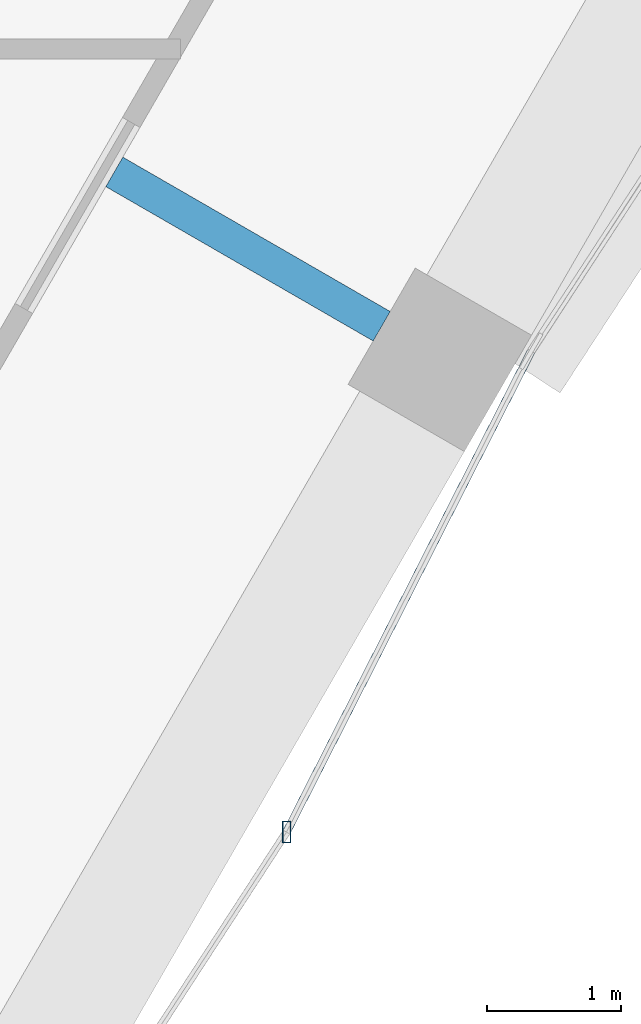
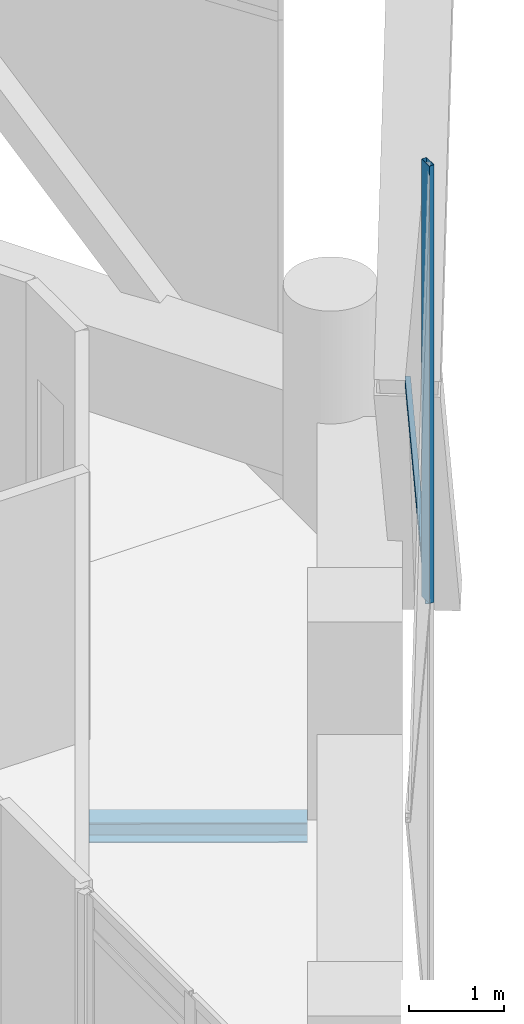
# One storey, part 13 of 37: 2 members, 1 beam, 2 elements without a shape of their own.
"""IFC4 building model written with IfcOpenShell, lengths in metres."""

from ifc_helpers import new_model, si_unit, direction, frame, origin, origin_2d, place, context, subcontext, project, spatial, hollow_rectangle, i_section, extrude, material, material_profile, profile_set, type_object, element, aggregate, save


model = new_model("IFC4")

# Units and contexts
model_context = context("Model", 3, precision=1e-05, world=origin(), true_north=direction((0.0, 1.0)))
body_context = subcontext(model_context, "Body", "Model", "MODEL_VIEW")
ifc_project = project(units=[si_unit("LENGTHUNIT", "METRE"), si_unit("AREAUNIT", "SQUARE_METRE"), si_unit("VOLUMEUNIT", "CUBIC_METRE"), si_unit("PLANEANGLEUNIT", "RADIAN"), si_unit("MASSUNIT", "GRAM", prefix="KILO")], contexts=[model_context])

# Site, building, storey
site_placement = place(None, origin())
site = spatial("IfcSite", under=ifc_project, at=site_placement, CompositionType="ELEMENT")
building_placement = place(site_placement, origin())
building = spatial("IfcBuilding", under=site, at=building_placement, Name="Ostrander Bayou Hotel Tower", CompositionType="ELEMENT")
storey_placement = place(building_placement, frame((0.0, 0.0, 198.25)))
storey = spatial("IfcBuildingStorey", under=building, at=storey_placement, Name="L49", CompositionType="ELEMENT", Elevation=198.25)

# Curtain wall, member
ifc_material_1 = material(Name="Aluminium and clear glass", Category="aluminium")
curtain_wall_type = type_object("IfcCurtainWallType", Name="CW-LAT lattice glazing", PredefinedType="NOTDEFINED", material=ifc_material_1)
curtain_wall_1_placement = place(storey_placement, origin())
curtain_wall_1 = element("IfcCurtainWall", 1, at=curtain_wall_1_placement, inside=storey, type_object=curtain_wall_type, Name="CW-LAT L49 SE 1", PredefinedType="NOTDEFINED")
ifc_material_2 = material(Name="Aluminium", Category="aluminium")
ifc_material_profile_1 = material_profile(ifc_material_2, hollow_rectangle(XDim=0.06005859375, YDim=0.159912109375, WallThickness=0.00390625, at=origin_2d()))
ifc_profile_set_1 = profile_set([ifc_material_profile_1], Name="Aluminium")
member_type_1 = type_object("IfcMemberType", Name="CW-LA mullion 60 x 160 mm", PredefinedType="MULLION", material=ifc_profile_set_1)
member_1_placement = place(storey_placement, frame((16.51513671875, -9.534912109375, 5.02490234375), z_axis=(0.0, 0.0, 1.0), x_axis=(1.0, 0.0, 0.0)))
member_1 = element("IfcMember", 2, at=member_1_placement, type_object=member_type_1, Name="CW-LAT mullion 2", PredefinedType="MULLION", context=body_context, shape_type="SweptSolid", body=[
    extrude(hollow_rectangle(XDim=0.06005859375, YDim=0.159912109375, WallThickness=0.00390625, at=origin_2d()), origin(), (0.0, 0.0, 1.0), 5.625),
])
aggregate(curtain_wall_1, [member_1])

curtain_wall_2_placement = place(storey_placement, origin())
curtain_wall_2 = element("IfcCurtainWall", 3, at=curtain_wall_2_placement, inside=storey, type_object=curtain_wall_type, Name="CW-LAT L49 SE 2", PredefinedType="NOTDEFINED")
ifc_material_3 = material(Name="Aluminium", Category="aluminium")
ifc_material_profile_2 = material_profile(ifc_material_3, hollow_rectangle(XDim=0.06005859375, YDim=0.1201171875, WallThickness=0.00390625, at=origin_2d()))
ifc_profile_set_2 = profile_set([ifc_material_profile_2], Name="Aluminium")
member_type_2 = type_object("IfcMemberType", Name="CW-LA transom 60 x 120 mm", PredefinedType="USERDEFINED", material=ifc_profile_set_2)
member_2_placement = place(storey_placement, frame((16.51513671875, -9.534912109375, 5.02490234375), z_axis=(0.453470787229, 0.891271140075, 0.0), x_axis=(-0.891271140075, 0.453470787229, 0.0)))
member_2 = element("IfcMember", 4, at=member_2_placement, type_object=member_type_2, Name="CW-LAT transom 4", ObjectType="TRANSOM", PredefinedType="USERDEFINED", context=body_context, shape_type="SweptSolid", body=[
    extrude(hollow_rectangle(XDim=0.06005859375, YDim=0.1201171875, WallThickness=0.00390625, at=origin_2d()), origin(), (0.0, 0.0, 1.0), 4.01953125),
])
aggregate(curtain_wall_2, [member_2])

# Beam
ifc_material_4 = material(Name="Steel ASTM A992", Category="steel")
ifc_material_profile_3 = material_profile(ifc_material_4, i_section(OverallWidth=0.25390625, OverallDepth=0.25341796875, WebThickness=0.008544921875, FlangeThickness=0.01416015625, at=origin_2d()))
ifc_profile_set_3 = profile_set([ifc_material_profile_3], Name="Steel ASTM A992")
beam_type = type_object("IfcBeamType", Name="LB2 loggia bracket W10x49", PredefinedType="BEAM", material=ifc_profile_set_3)
beam_placement = place(storey_placement, frame((17.224365234375, -5.7666015625, -0.4267578125), z_axis=(-0.866053019151, 0.499952165731, 0.0), x_axis=(-0.499952165731, -0.866053019151, 0.0)))
element("IfcBeam", 5, at=beam_placement, inside=storey, type_object=beam_type, Name="LB2 L49 SE2", PredefinedType="BEAM", context=body_context, shape_type="SweptSolid", body=[
    extrude(i_section(OverallWidth=0.25390625, OverallDepth=0.25341796875, WebThickness=0.008544921875, FlangeThickness=0.01416015625, at=origin_2d()), origin(), (0.0, 0.0, 1.0), 2.300048828125),
])

save(model, "model.ifc")
